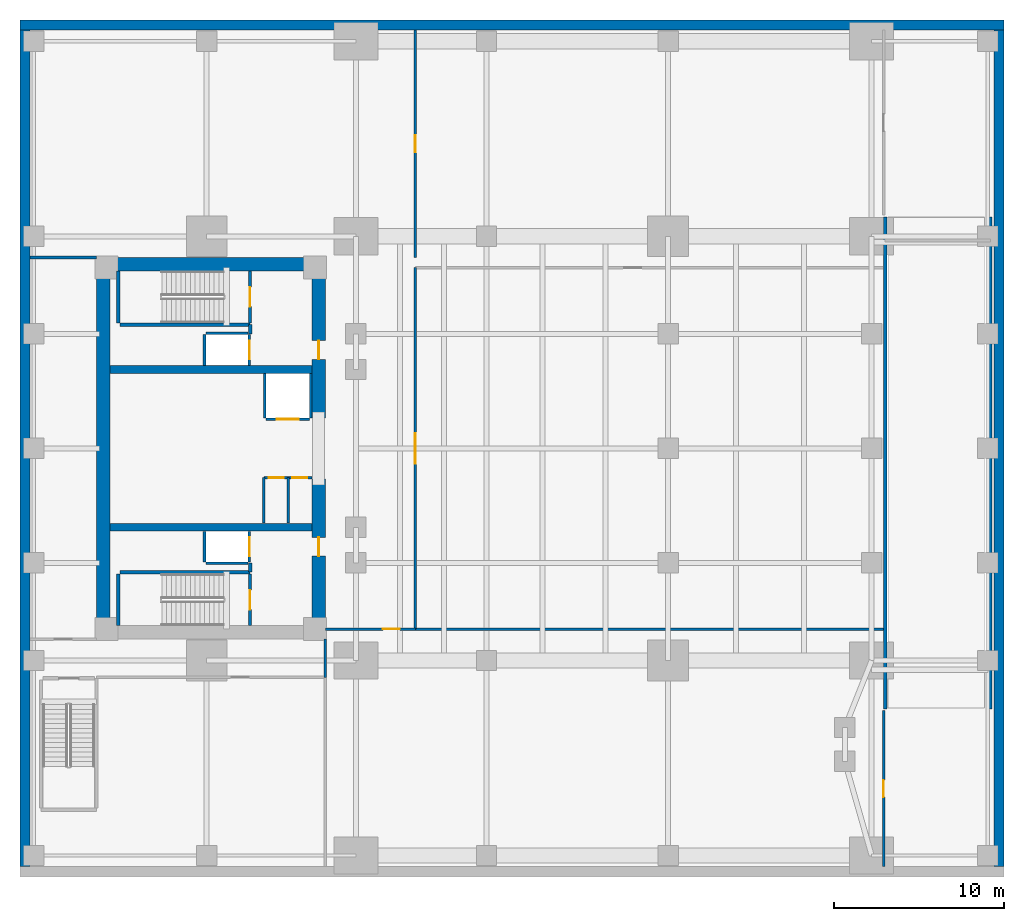
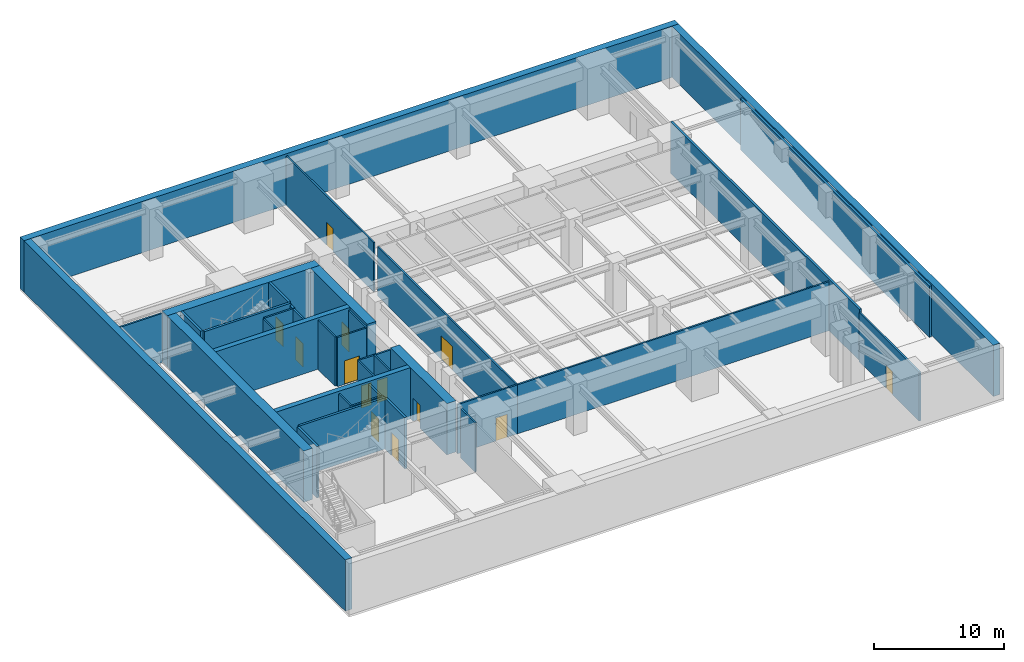
# One storey, part 3 of 5: 38 walls, 13 doors, 13 openings.
"""IFC4 building model written with IfcOpenShell, lengths in metres."""

from ifc_helpers import new_model, si_unit, direction, frame, frame_2d, origin, place, context, subcontext, project, spatial, rectangle, extrude, material, layer, layer_set, type_object, element, fill, save


model = new_model("IFC4")

# Units and contexts
model_context = context("Model", 3, precision=1e-05, world=origin(), true_north=direction((0.0, 1.0)))
body_context = subcontext(model_context, "Body", "Model", "MODEL_VIEW")
ifc_project = project(units=[si_unit("LENGTHUNIT", "METRE"), si_unit("AREAUNIT", "SQUARE_METRE"), si_unit("VOLUMEUNIT", "CUBIC_METRE"), si_unit("PLANEANGLEUNIT", "RADIAN"), si_unit("MASSUNIT", "GRAM", prefix="KILO")], contexts=[model_context])

# Site, building, storey
site_placement = place(None, origin())
site = spatial("IfcSite", under=ifc_project, at=site_placement, CompositionType="ELEMENT")
building_placement = place(site_placement, origin())
building = spatial("IfcBuilding", under=site, at=building_placement, Name="Kinhvarn Gate Tower", CompositionType="ELEMENT")
storey_placement = place(building_placement, frame((0.0, 0.0, -4.800048828125)))
storey = spatial("IfcBuildingStorey", under=building, at=storey_placement, Name="B01", CompositionType="ELEMENT", Elevation=-4.800048828125)

# Walls
ifc_material_1 = material(Name="Concrete C50/60", Category="concrete")
ifc_layer_1 = layer(ifc_material_1, 0.449951171875)
ifc_layer_set_1 = layer_set([ifc_layer_1], Name="Concrete C50/60")
wall_type_1 = type_object("IfcWallType", Name="WL-CORE-450", PredefinedType="SHEAR", material=ifc_layer_set_1)
for number, where, z_axis, x_axis, name in (
    (1, (5.300048828125, 20.60009765625, 0.0), (0.0, 0.0, 1.0), (1.0, 0.0, 0.0), "Core South Spine Shear Wall B01 450 mm"),
    (2, (5.300048828125, 29.89990234375, 0.0), (0.0, 0.0, 1.0), (1.0, 0.0, 0.0), "Core North Spine Shear Wall B01 450 mm"),
):
    element("IfcWall", number, at=place(storey_placement, frame(where, z_axis=z_axis, x_axis=x_axis)), inside=storey, type_object=wall_type_1, Name=name, PredefinedType="SHEAR", context=body_context, shape_type="SweptSolid", body=[
        extrude(rectangle(XDim=11.89990234375, YDim=0.449951171875, at=frame_2d((5.949951171875, 0.0))), origin(), (0.0, 0.0, 1.0), 4.800048828125),
    ])
ifc_material_2 = material(Name="Concrete C70/85", Category="concrete")
ifc_layer_2 = layer(ifc_material_2, 0.800048828125)
ifc_layer_set_2 = layer_set([ifc_layer_2], Name="Concrete C70/85")
wall_type_2 = type_object("IfcWallType", Name="WL-CORE-800", PredefinedType="SHEAR", material=ifc_layer_set_2)
wall_1_placement = place(storey_placement, frame((4.5, 36.10009765625, 0.0), z_axis=(0.0, 0.0, 1.0), x_axis=(1.0, 0.0, 0.0)))
element("IfcWall", 3, at=wall_1_placement, inside=storey, type_object=wall_type_2, Name="Core North Shear Wall B01 800 mm", PredefinedType="SHEAR", context=body_context, shape_type="SweptSolid", body=[
    extrude(rectangle(XDim=13.5, YDim=0.800048828125, at=frame_2d((6.75, 0.0))), origin(), (0.0, 0.0, 1.0), 4.800048828125),
])
wall_2_placement = place(storey_placement, frame((4.89990234375, 14.800048828125, 0.0), z_axis=(0.0, 0.0, 1.0), x_axis=(0.0, 1.0, 0.0)))
element("IfcWall", 4, at=wall_2_placement, inside=storey, type_object=wall_type_2, Name="Core West Shear Wall B01 800 mm", PredefinedType="SHEAR", context=body_context, shape_type="SweptSolid", body=[
    extrude(rectangle(XDim=20.89990234375, YDim=0.800048828125, at=frame_2d((10.449951171875, 0.0))), origin(), (0.0, 0.0, 1.0), 4.800048828125),
])

# Wall, opening, door
wall_3_placement = place(storey_placement, frame((17.60009765625, 14.800048828125, 0.0), z_axis=(0.0, 0.0, 1.0), x_axis=(0.0, 1.0, 0.0)))
wall_3 = element("IfcWall", 5, at=wall_3_placement, inside=storey, type_object=wall_type_2, Name="Core East-South Shear Pier B01 800 mm", PredefinedType="SHEAR", context=body_context, shape_type="SweptSolid", body=[
    extrude(rectangle(XDim=8.64990234375, YDim=0.800048828125, at=frame_2d((4.324951171875, 0.0))), origin(), (0.0, 0.0, 1.0), 4.800048828125),
])
opening_1_placement = place(wall_3_placement, frame((4.10009765625, 0.0, 0.0)))
opening_1 = element("IfcOpeningElement", 6, at=opening_1_placement, cuts=wall_3, Name="Opening FD-02", PredefinedType="OPENING", context=body_context, shape_type="SweptSolid", body=[
    extrude(rectangle(XDim=1.10009765625, YDim=2.14990234375, at=frame_2d((0.550048828125, 1.074951171875))), frame((0.0, 0.41015625, 0.0), z_axis=(0.0, -1.0, 0.0), x_axis=(1.0, 0.0, 0.0)), (0.0, 0.0, 1.0), 0.820068359375),
])
ifc_material_3 = material(Name="Anodised aluminium AW-6063", Category="aluminium")
door_type_1 = type_object("IfcDoorType", Name="DR-FD-1100", OperationType="NOTDEFINED", PredefinedType="DOOR", material=ifc_material_3)
door_1_placement = place(opening_1_placement, origin())
door_1 = element("IfcDoor", 7, at=door_1_placement, inside=storey, type_object=door_type_1, Name="Firefighting Lobby Core Door (B01)", OperationType="SINGLE_SWING_RIGHT", OverallHeight=2.14990234375, OverallWidth=1.10009765625, PredefinedType="DOOR", context=body_context, shape_type="SweptSolid", body=[
    extrude(rectangle(XDim=1.10009765625, YDim=2.14990234375, at=frame_2d((0.550048828125, 1.074951171875))), frame((0.0, 0.02490234375, 0.0), z_axis=(0.0, -1.0, 0.0), x_axis=(1.0, 0.0, 0.0)), (0.0, 0.0, 1.0), 0.050048828125),
])
fill(opening_1, door_1)

wall_4_placement = place(storey_placement, frame((17.60009765625, 27.050048828125, 0.0), z_axis=(0.0, 0.0, 1.0), x_axis=(0.0, 1.0, 0.0)))
wall_4 = element("IfcWall", 8, at=wall_4_placement, inside=storey, type_object=wall_type_2, Name="Core East-North Shear Pier B01 800 mm", PredefinedType="SHEAR", context=body_context, shape_type="SweptSolid", body=[
    extrude(rectangle(XDim=8.64990234375, YDim=0.800048828125, at=frame_2d((4.324951171875, 0.0))), origin(), (0.0, 0.0, 1.0), 4.800048828125),
])
opening_2_placement = place(wall_4_placement, frame((3.449951171875, 0.0, 0.0)))
opening_2 = element("IfcOpeningElement", 9, at=opening_2_placement, cuts=wall_4, Name="Opening FD-02", PredefinedType="OPENING", context=body_context, shape_type="SweptSolid", body=[
    extrude(rectangle(XDim=1.10009765625, YDim=2.14990234375, at=frame_2d((0.550048828125, 1.074951171875))), frame((0.0, 0.41015625, 0.0), z_axis=(0.0, -1.0, 0.0), x_axis=(1.0, 0.0, 0.0)), (0.0, 0.0, 1.0), 0.820068359375),
])
door_2_placement = place(opening_2_placement, origin())
door_2 = element("IfcDoor", 10, at=door_2_placement, inside=storey, type_object=door_type_1, Name="Firefighting Lobby Core Door (B01)", OperationType="SINGLE_SWING_LEFT", OverallHeight=2.14990234375, OverallWidth=1.10009765625, PredefinedType="DOOR", context=body_context, shape_type="SweptSolid", body=[
    extrude(rectangle(XDim=1.10009765625, YDim=2.14990234375, at=frame_2d((0.550048828125, 1.074951171875))), frame((0.0, 0.02490234375, 0.0), z_axis=(0.0, -1.0, 0.0), x_axis=(1.0, 0.0, 0.0)), (0.0, 0.0, 1.0), 0.050048828125),
])
fill(opening_2, door_2)

# Walls
ifc_material_4 = material(Name="Gypsum acoustic partition board")
ifc_layer_3 = layer(ifc_material_4, 0.14990234375)
ifc_layer_set_3 = layer_set([ifc_layer_3], Name="Gypsum acoustic partition board")
wall_type_3 = type_object("IfcWallType", Name="WL-PRT-150F", PredefinedType="PARTITIONING", material=ifc_layer_set_3)
for number, where, z_axis, x_axis, name in (
    (11, (14.3798828125, 20.85009765625, 0.0), (0.0, 0.0, 1.0), (0.0, 1.0, 0.0), "Interior Partition PW-150F (B01)"),
    (12, (15.800048828125, 20.85009765625, 0.0), (0.0, 0.0, 1.0), (0.0, 1.0, 0.0), "Interior Partition PW-150F (B01)"),
):
    element("IfcWall", number, at=place(storey_placement, frame(where, z_axis=z_axis, x_axis=x_axis)), inside=storey, type_object=wall_type_3, Name=name, PredefinedType="PARTITIONING", context=body_context, shape_type="SweptSolid", body=[
        extrude(rectangle(XDim=2.669921875, YDim=0.14990234375, at=frame_2d((1.3349609375, 0.0))), origin(), (0.0, 0.0, 1.0), 4.60009765625),
    ])

# Wall, openings, doors
wall_5_placement = place(storey_placement, frame((14.3798828125, 23.52001953125, 0.0), z_axis=(0.0, 0.0, 1.0), x_axis=(1.0, 0.0, 0.0)))
wall_5 = element("IfcWall", 13, at=wall_5_placement, inside=storey, type_object=wall_type_3, Name="Interior Partition PW-150F (B01)", PredefinedType="PARTITIONING", context=body_context, shape_type="SweptSolid", body=[
    extrude(rectangle(XDim=2.840087890625, YDim=0.14990234375, at=frame_2d((1.419921875, 0.0))), origin(), (0.0, 0.0, 1.0), 4.60009765625),
])
opening_3_placement = place(wall_5_placement, frame((0.280029296875, 0.0, 0.0)))
opening_3 = element("IfcOpeningElement", 14, at=opening_3_placement, cuts=wall_5, Name="Opening FD-04", PredefinedType="OPENING", context=body_context, shape_type="SweptSolid", body=[
    extrude(rectangle(XDim=0.89990234375, YDim=2.10009765625, at=frame_2d((0.449951171875, 1.050048828125))), frame((0.0, 0.0849609375, 0.0), z_axis=(0.0, -1.0, 0.0), x_axis=(1.0, 0.0, 0.0)), (0.0, 0.0, 1.0), 0.169921875),
])
opening_4_placement = place(wall_5_placement, frame((1.659912109375, 0.0, 0.0)))
opening_4 = element("IfcOpeningElement", 15, at=opening_4_placement, cuts=wall_5, Name="Opening FD-04", PredefinedType="OPENING", context=body_context, shape_type="SweptSolid", body=[
    extrude(rectangle(XDim=0.89990234375, YDim=2.10009765625, at=frame_2d((0.449951171875, 1.050048828125))), frame((0.0, 0.0849609375, 0.0), z_axis=(0.0, -1.0, 0.0), x_axis=(1.0, 0.0, 0.0)), (0.0, 0.0, 1.0), 0.169921875),
])
door_type_2 = type_object("IfcDoorType", Name="DR-FD-900", OperationType="NOTDEFINED", PredefinedType="DOOR", material=ifc_material_3)
door_3_placement = place(opening_3_placement, origin())
door_3 = element("IfcDoor", 16, at=door_3_placement, inside=storey, type_object=door_type_2, Name="Rated Riser & Service Closet Fire Door 900x2100 mm (B01)", OperationType="SINGLE_SWING_RIGHT", OverallHeight=2.10009765625, OverallWidth=0.89990234375, PredefinedType="DOOR", context=body_context, shape_type="SweptSolid", body=[
    extrude(rectangle(XDim=0.89990234375, YDim=2.10009765625, at=frame_2d((0.449951171875, 1.050048828125))), frame((0.0, 0.02490234375, 0.0), z_axis=(0.0, -1.0, 0.0), x_axis=(1.0, 0.0, 0.0)), (0.0, 0.0, 1.0), 0.050048828125),
])
fill(opening_3, door_3)
door_4_placement = place(opening_4_placement, origin())
door_4 = element("IfcDoor", 17, at=door_4_placement, inside=storey, type_object=door_type_2, Name="Rated Riser & Service Closet Fire Door 900x2100 mm (B01)", OperationType="SINGLE_SWING_LEFT", OverallHeight=2.10009765625, OverallWidth=0.89990234375, PredefinedType="DOOR", context=body_context, shape_type="SweptSolid", body=[
    extrude(rectangle(XDim=0.89990234375, YDim=2.10009765625, at=frame_2d((0.449951171875, 1.050048828125))), frame((0.0, 0.02490234375, 0.0), z_axis=(0.0, -1.0, 0.0), x_axis=(1.0, 0.0, 0.0)), (0.0, 0.0, 1.0), 0.050048828125),
])
fill(opening_4, door_4)

# Wall, opening, door
wall_6_placement = place(storey_placement, frame((18.0, 14.60009765625, 0.0), z_axis=(0.0, 0.0, 1.0), x_axis=(1.0, 0.0, 0.0)))
wall_6 = element("IfcWall", 18, at=wall_6_placement, inside=storey, type_object=wall_type_3, Name="Interior Partition PW-150F (B01)", PredefinedType="PARTITIONING", context=body_context, shape_type="SweptSolid", body=[
    extrude(rectangle(XDim=5.300048828125, YDim=0.14990234375, at=frame_2d((2.64990234375, 0.0))), origin(), (0.0, 0.0, 1.0), 4.60009765625),
])
opening_5_placement = place(wall_6_placement, frame((3.389892578125, 0.0, 0.0)))
opening_5 = element("IfcOpeningElement", 19, at=opening_5_placement, cuts=wall_6, Name="Opening FD-03", PredefinedType="OPENING", context=body_context, shape_type="SweptSolid", body=[
    extrude(rectangle(XDim=1.0, YDim=2.14990234375, at=frame_2d((0.5, 1.074951171875))), frame((0.0, 0.0849609375, 0.0), z_axis=(0.0, -1.0, 0.0), x_axis=(1.0, 0.0, 0.0)), (0.0, 0.0, 1.0), 0.169921875),
])
door_type_3 = type_object("IfcDoorType", Name="DR-FD-1000", OperationType="NOTDEFINED", PredefinedType="DOOR", material=ifc_material_3)
door_5_placement = place(opening_5_placement, origin())
door_5 = element("IfcDoor", 20, at=door_5_placement, inside=storey, type_object=door_type_3, Name="Rated Plant & Corridor Fire Door 1000x2150 mm (B01)", OperationType="SINGLE_SWING_RIGHT", OverallHeight=2.14990234375, OverallWidth=1.0, PredefinedType="DOOR", context=body_context, shape_type="SweptSolid", body=[
    extrude(rectangle(XDim=1.0, YDim=2.14990234375, at=frame_2d((0.5, 1.074951171875))), frame((0.0, 0.02490234375, 0.0), z_axis=(0.0, -1.0, 0.0), x_axis=(1.0, 0.0, 0.0)), (0.0, 0.0, 1.0), 0.050048828125),
])
fill(opening_5, door_5)

wall_7_placement = place(storey_placement, frame((23.300048828125, 14.60009765625, 0.0), z_axis=(0.0, 0.0, 1.0), x_axis=(0.0, 1.0, 0.0)))
wall_7 = element("IfcWall", 21, at=wall_7_placement, inside=storey, type_object=wall_type_3, Name="Interior Partition PW-150F (B01)", PredefinedType="PARTITIONING", context=body_context, shape_type="SweptSolid", body=[
    extrude(rectangle(XDim=21.2998046875, YDim=0.14990234375, at=frame_2d((10.64990234375, 0.0))), origin(), (0.0, 0.0, 1.0), 4.60009765625),
])
opening_6_placement = place(wall_7_placement, frame((9.75, 0.0, 0.0)))
opening_6 = element("IfcOpeningElement", 22, at=opening_6_placement, cuts=wall_7, Name="Opening ID-04", PredefinedType="OPENING", context=body_context, shape_type="SweptSolid", body=[
    extrude(rectangle(XDim=1.800048828125, YDim=2.199951171875, at=frame_2d((0.89990234375, 1.10009765625))), frame((0.0, 0.0849609375, 0.0), z_axis=(0.0, -1.0, 0.0), x_axis=(1.0, 0.0, 0.0)), (0.0, 0.0, 1.0), 0.169921875),
])
ifc_material_5 = material(Name="Clear low-e double glazing", Category="glass")
door_type_4 = type_object("IfcDoorType", Name="DR-GLZ-1800", OperationType="NOTDEFINED", PredefinedType="DOOR", material=ifc_material_5)
door_6_placement = place(opening_6_placement, origin())
door_6 = element("IfcDoor", 23, at=door_6_placement, inside=storey, type_object=door_type_4, Name="Double Glazed Forum & Sky-Lobby Door 1800x2200 mm (B01)", OperationType="DOUBLE_DOOR_SINGLE_SWING", OverallHeight=2.199951171875, OverallWidth=1.800048828125, PredefinedType="DOOR", context=body_context, shape_type="SweptSolid", body=[
    extrude(rectangle(XDim=1.800048828125, YDim=2.199951171875, at=frame_2d((0.89990234375, 1.10009765625))), frame((0.0, 0.02490234375, 0.0), z_axis=(0.0, -1.0, 0.0), x_axis=(1.0, 0.0, 0.0)), (0.0, 0.0, 1.0), 0.050048828125),
])
fill(opening_6, door_6)

# Walls
wall_8_placement = place(storey_placement, frame((18.0, 11.75, 0.0), z_axis=(0.0, 0.0, 1.0), x_axis=(0.0, 1.0, 0.0)))
element("IfcWall", 24, at=wall_8_placement, inside=storey, type_object=wall_type_3, Name="Interior Partition PW-150F (B01)", PredefinedType="PARTITIONING", context=body_context, shape_type="SweptSolid", body=[
    extrude(rectangle(XDim=2.25, YDim=0.14990234375, at=frame_2d((1.125, 0.0))), origin(), (0.0, 0.0, 1.0), 4.60009765625),
])
wall_9_placement = place(storey_placement, frame((0.60009765625, 36.5, 0.0), z_axis=(0.0, 0.0, 1.0), x_axis=(1.0, 0.0, 0.0)))
element("IfcWall", 25, at=wall_9_placement, inside=storey, type_object=wall_type_3, Name="Interior Partition PW-150F (B01)", PredefinedType="PARTITIONING", context=body_context, shape_type="SweptSolid", body=[
    extrude(rectangle(XDim=3.89990234375, YDim=0.14990234375, at=frame_2d((1.949951171875, 0.0))), origin(), (0.0, 0.0, 1.0), 4.60009765625),
])

# Wall, opening, door
wall_10_placement = place(storey_placement, frame((23.300048828125, 36.5, 0.0), z_axis=(0.0, 0.0, 1.0), x_axis=(0.0, 1.0, 0.0)))
wall_10 = element("IfcWall", 26, at=wall_10_placement, inside=storey, type_object=wall_type_3, Name="Interior Partition PW-150F (B01)", PredefinedType="PARTITIONING", context=body_context, shape_type="SweptSolid", body=[
    extrude(rectangle(XDim=13.39990234375, YDim=0.14990234375, at=frame_2d((6.699951171875, 0.0))), origin(), (0.0, 0.0, 1.0), 4.60009765625),
])
opening_7_placement = place(wall_10_placement, frame((6.199951171875, 0.0, 0.0)))
opening_7 = element("IfcOpeningElement", 27, at=opening_7_placement, cuts=wall_10, Name="Opening FD-03", PredefinedType="OPENING", context=body_context, shape_type="SweptSolid", body=[
    extrude(rectangle(XDim=1.0, YDim=2.14990234375, at=frame_2d((0.5, 1.074951171875))), frame((0.0, 0.0849609375, 0.0), z_axis=(0.0, -1.0, 0.0), x_axis=(1.0, 0.0, 0.0)), (0.0, 0.0, 1.0), 0.169921875),
])
door_7_placement = place(opening_7_placement, origin())
door_7 = element("IfcDoor", 28, at=door_7_placement, inside=storey, type_object=door_type_3, Name="Rated Plant & Corridor Fire Door 1000x2150 mm (B01)", OperationType="SINGLE_SWING_LEFT", OverallHeight=2.14990234375, OverallWidth=1.0, PredefinedType="DOOR", context=body_context, shape_type="SweptSolid", body=[
    extrude(rectangle(XDim=1.0, YDim=2.14990234375, at=frame_2d((0.5, 1.074951171875))), frame((0.0, 0.02490234375, 0.0), z_axis=(0.0, -1.0, 0.0), x_axis=(1.0, 0.0, 0.0)), (0.0, 0.0, 1.0), 0.050048828125),
])
fill(opening_7, door_7)

# Wall
wall_11_placement = place(storey_placement, frame((23.300048828125, 14.60009765625, 0.0), z_axis=(0.0, 0.0, 1.0), x_axis=(1.0, 0.0, 0.0)))
element("IfcWall", 29, at=wall_11_placement, inside=storey, type_object=wall_type_3, Name="Interior Partition PW-150F (B01)", PredefinedType="PARTITIONING", context=body_context, shape_type="SweptSolid", body=[
    extrude(rectangle(XDim=27.599853515625, YDim=0.14990234375, at=frame_2d((13.7998046875, 0.0))), origin(), (0.0, 0.0, 1.0), 4.60009765625),
])

# Wall, opening, door
wall_12_placement = place(storey_placement, frame((50.89990234375, 0.60009765625, 0.0), z_axis=(0.0, 0.0, 1.0), x_axis=(0.0, 1.0, 0.0)))
wall_12 = element("IfcWall", 30, at=wall_12_placement, inside=storey, type_object=wall_type_3, Name="Interior Partition PW-150F (B01)", PredefinedType="PARTITIONING", context=body_context, shape_type="SweptSolid", body=[
    extrude(rectangle(XDim=9.199951171875, YDim=0.14990234375, at=frame_2d((4.60009765625, 0.0))), origin(), (0.0, 0.0, 1.0), 4.60009765625),
])
opening_8_placement = place(wall_12_placement, frame((4.10009765625, 0.0, 0.0)))
opening_8 = element("IfcOpeningElement", 31, at=opening_8_placement, cuts=wall_12, Name="Opening FD-03", PredefinedType="OPENING", context=body_context, shape_type="SweptSolid", body=[
    extrude(rectangle(XDim=1.0, YDim=2.14990234375, at=frame_2d((0.5, 1.074951171875))), frame((0.0, 0.0849609375, 0.0), z_axis=(0.0, -1.0, 0.0), x_axis=(1.0, 0.0, 0.0)), (0.0, 0.0, 1.0), 0.169921875),
])
door_8_placement = place(opening_8_placement, origin())
door_8 = element("IfcDoor", 32, at=door_8_placement, inside=storey, type_object=door_type_3, Name="Rated Plant & Corridor Fire Door 1000x2150 mm (B01)", OperationType="SINGLE_SWING_RIGHT", OverallHeight=2.14990234375, OverallWidth=1.0, PredefinedType="DOOR", context=body_context, shape_type="SweptSolid", body=[
    extrude(rectangle(XDim=1.0, YDim=2.14990234375, at=frame_2d((0.5, 1.074951171875))), frame((0.0, 0.02490234375, 0.0), z_axis=(0.0, -1.0, 0.0), x_axis=(1.0, 0.0, 0.0)), (0.0, 0.0, 1.0), 0.050048828125),
])
fill(opening_8, door_8)

# Walls
ifc_layer_4 = layer(ifc_material_4, 0.199951171875)
ifc_layer_set_4 = layer_set([ifc_layer_4], Name="Gypsum acoustic partition board")
wall_type_4 = type_object("IfcWallType", Name="WL-PRT-200", PredefinedType="PARTITIONING", material=ifc_layer_set_4)
for number, where, z_axis, x_axis, name in (
    (33, (13.580078125, 17.9599609375, 0.0), (0.0, 0.0, 1.0), (0.0, 1.0, 0.0), "Interior Partition PW-200 (B01)"),
    (34, (13.580078125, 32.0, 0.0), (0.0, 0.0, 1.0), (0.0, 1.0, 0.0), "Interior Partition PW-200 (B01)"),
):
    element("IfcWall", number, at=place(storey_placement, frame(where, z_axis=z_axis, x_axis=x_axis)), inside=storey, type_object=wall_type_4, Name=name, PredefinedType="PARTITIONING", context=body_context, shape_type="SweptSolid", body=[
        extrude(rectangle(XDim=0.5400390625, YDim=0.199951171875, at=frame_2d((0.27001953125, 0.0))), origin(), (0.0, 0.0, 1.0), 4.60009765625),
    ])
ifc_layer_5 = layer(ifc_material_1, 0.60009765625)
ifc_layer_set_5 = layer_set([ifc_layer_5], Name="Concrete C50/60")
wall_type_5 = type_object("IfcWallType", Name="WL-RET-600", PredefinedType="USERDEFINED", material=ifc_layer_set_5)
wall_13_placement = place(storey_placement, frame((0.0, 50.199951171875, 0.0), z_axis=(0.0, 0.0, 1.0), x_axis=(1.0, 0.0, 0.0)))
element("IfcWall", 35, at=wall_13_placement, inside=storey, type_object=wall_type_5, Name="North Diaphragm Retaining Wall B01 600 mm", ObjectType="RETAININGWALL", PredefinedType="USERDEFINED", context=body_context, shape_type="SweptSolid", body=[
    extrude(rectangle(XDim=58.0, YDim=0.60009765625, at=frame_2d((29.0, 0.0))), origin(), (0.0, 0.0, 1.0), 4.800048828125),
])
for number, where, z_axis, x_axis, name in (
    (36, (0.300048828125, 0.60009765625, 0.0), (0.0, 0.0, 1.0), (0.0, 1.0, 0.0), "West Diaphragm Retaining Wall B01 600 mm"),
    (37, (57.699951171875, 0.60009765625, 0.0), (0.0, 0.0, 1.0), (0.0, 1.0, 0.0), "East Diaphragm Retaining Wall B01 600 mm"),
):
    element("IfcWall", number, at=place(storey_placement, frame(where, z_axis=z_axis, x_axis=x_axis)), inside=storey, type_object=wall_type_5, Name=name, ObjectType="RETAININGWALL", PredefinedType="USERDEFINED", context=body_context, shape_type="SweptSolid", body=[
        extrude(rectangle(XDim=49.2998046875, YDim=0.60009765625, at=frame_2d((24.64990234375, 0.0))), origin(), (0.0, 0.0, 1.0), 4.800048828125),
    ])

# Wall, opening, door
ifc_layer_6 = layer(ifc_material_4, 0.14990234375)
ifc_layer_set_6 = layer_set([ifc_layer_6], Name="Gypsum acoustic partition board")
wall_type_6 = type_object("IfcWallType", Name="WL-SHF-150", PredefinedType="PARTITIONING", material=ifc_layer_set_6)
wall_14_placement = place(storey_placement, frame((14.5, 26.97509765625, 0.0), z_axis=(0.0, 0.0, 1.0), x_axis=(1.0, 0.0, 0.0)))
wall_14 = element("IfcWall", 38, at=wall_14_placement, inside=storey, type_object=wall_type_6, Name="Elevator SV-01 Landing Wall (B01)", PredefinedType="PARTITIONING", context=body_context, shape_type="SweptSolid", body=[
    extrude(rectangle(XDim=2.550048828125, YDim=0.14990234375, at=frame_2d((1.27490234375, 0.0))), origin(), (0.0, 0.0, 1.0), 4.60009765625),
])
opening_9_placement = place(wall_14_placement, frame((0.625, 0.0, 0.0)))
opening_9 = element("IfcOpeningElement", 39, at=opening_9_placement, cuts=wall_14, Name="Opening LD-02", PredefinedType="OPENING", context=body_context, shape_type="SweptSolid", body=[
    extrude(rectangle(XDim=1.300048828125, YDim=2.199951171875, at=frame_2d((0.64990234375, 1.10009765625))), frame((0.0, 0.0849609375, 0.0), z_axis=(0.0, -1.0, 0.0), x_axis=(1.0, 0.0, 0.0)), (0.0, 0.0, 1.0), 0.169921875),
])
door_type_5 = type_object("IfcDoorType", Name="DR-LND-SRV", OperationType="NOTDEFINED", PredefinedType="DOOR", material=ifc_material_3)
door_9_placement = place(opening_9_placement, origin())
door_9 = element("IfcDoor", 40, at=door_9_placement, inside=storey, type_object=door_type_5, Name="Elevator SV-01 Sliding Landing Door (B01)", OperationType="DOUBLE_DOOR_SLIDING", OverallHeight=2.199951171875, OverallWidth=1.300048828125, PredefinedType="DOOR", context=body_context, shape_type="SweptSolid", body=[
    extrude(rectangle(XDim=1.300048828125, YDim=2.199951171875, at=frame_2d((0.64990234375, 1.10009765625))), frame((0.0, 0.02490234375, 0.0), z_axis=(0.0, -1.0, 0.0), x_axis=(1.0, 0.0, 0.0)), (0.0, 0.0, 1.0), 0.050048828125),
])
fill(opening_9, door_9)

# Walls
for number, where, z_axis, x_axis, name in (
    (41, (14.425048828125, 27.050048828125, 0.0), (0.0, 0.0, 1.0), (0.0, 1.0, 0.0), "Elevator SV-01 Hoistway Wall W (B01)"),
    (42, (17.125, 27.050048828125, 0.0), (0.0, 0.0, 1.0), (0.0, 1.0, 0.0), "Elevator SV-01 Hoistway Wall E (B01)"),
):
    element("IfcWall", number, at=place(storey_placement, frame(where, z_axis=z_axis, x_axis=x_axis)), inside=storey, type_object=wall_type_6, Name=name, PredefinedType="PARTITIONING", context=body_context, shape_type="SweptSolid", body=[
        extrude(rectangle(XDim=2.599853515625, YDim=0.14990234375, at=frame_2d((1.2998046875, 0.0))), origin(), (0.0, 0.0, 1.0), 4.60009765625),
    ])
wall_15_placement = place(storey_placement, frame((10.949951171875, 18.47509765625, 0.0), z_axis=(0.0, 0.0, 1.0), x_axis=(1.0, 0.0, 0.0)))
element("IfcWall", 43, at=wall_15_placement, inside=storey, type_object=wall_type_6, Name="Elevator FF1 Hoistway Wall S (B01)", PredefinedType="PARTITIONING", context=body_context, shape_type="SweptSolid", body=[
    extrude(rectangle(XDim=2.5, YDim=0.14990234375, at=frame_2d((1.25, 0.0))), origin(), (0.0, 0.0, 1.0), 4.60009765625),
])
wall_16_placement = place(storey_placement, frame((10.875, 18.550048828125, 0.0), z_axis=(0.0, 0.0, 1.0), x_axis=(0.0, 1.0, 0.0)))
element("IfcWall", 44, at=wall_16_placement, inside=storey, type_object=wall_type_6, Name="Elevator FF1 Hoistway Wall W (B01)", PredefinedType="PARTITIONING", context=body_context, shape_type="SweptSolid", body=[
    extrude(rectangle(XDim=1.800048828125, YDim=0.14990234375, at=frame_2d((0.89990234375, 0.0))), origin(), (0.0, 0.0, 1.0), 4.60009765625),
])

# Wall, opening, door
wall_17_placement = place(storey_placement, frame((13.52490234375, 18.550048828125, 0.0), z_axis=(0.0, 0.0, 1.0), x_axis=(0.0, 1.0, 0.0)))
wall_17 = element("IfcWall", 45, at=wall_17_placement, inside=storey, type_object=wall_type_6, Name="Elevator FF1 Landing Wall (B01)", PredefinedType="PARTITIONING", context=body_context, shape_type="SweptSolid", body=[
    extrude(rectangle(XDim=1.800048828125, YDim=0.14990234375, at=frame_2d((0.89990234375, 0.0))), origin(), (0.0, 0.0, 1.0), 4.60009765625),
])
opening_10_placement = place(wall_17_placement, frame((0.35009765625, 0.0, 0.0)))
opening_10 = element("IfcOpeningElement", 46, at=opening_10_placement, cuts=wall_17, Name="Opening LD-03", PredefinedType="OPENING", context=body_context, shape_type="SweptSolid", body=[
    extrude(rectangle(XDim=1.10009765625, YDim=2.199951171875, at=frame_2d((0.550048828125, 1.10009765625))), frame((0.0, 0.0849609375, 0.0), z_axis=(0.0, -1.0, 0.0), x_axis=(1.0, 0.0, 0.0)), (0.0, 0.0, 1.0), 0.169921875),
])
door_type_6 = type_object("IfcDoorType", Name="DR-LND-FF", OperationType="NOTDEFINED", PredefinedType="DOOR", material=ifc_material_3)
door_10_placement = place(opening_10_placement, origin())
door_10 = element("IfcDoor", 47, at=door_10_placement, inside=storey, type_object=door_type_6, Name="Elevator FF1 Sliding Landing Door (B01)", OperationType="DOUBLE_DOOR_SLIDING", OverallHeight=2.199951171875, OverallWidth=1.10009765625, PredefinedType="DOOR", context=body_context, shape_type="SweptSolid", body=[
    extrude(rectangle(XDim=1.10009765625, YDim=2.199951171875, at=frame_2d((0.550048828125, 1.10009765625))), frame((0.0, 0.02490234375, 0.0), z_axis=(0.0, -1.0, 0.0), x_axis=(1.0, 0.0, 0.0)), (0.0, 0.0, 1.0), 0.050048828125),
])
fill(opening_10, door_10)

# Walls
wall_18_placement = place(storey_placement, frame((10.949951171875, 32.02490234375, 0.0), z_axis=(0.0, 0.0, 1.0), x_axis=(1.0, 0.0, 0.0)))
element("IfcWall", 48, at=wall_18_placement, inside=storey, type_object=wall_type_6, Name="Elevator FF2 Hoistway Wall N (B01)", PredefinedType="PARTITIONING", context=body_context, shape_type="SweptSolid", body=[
    extrude(rectangle(XDim=2.5, YDim=0.14990234375, at=frame_2d((1.25, 0.0))), origin(), (0.0, 0.0, 1.0), 4.60009765625),
])
wall_19_placement = place(storey_placement, frame((10.875, 30.14990234375, 0.0), z_axis=(0.0, 0.0, 1.0), x_axis=(0.0, 1.0, 0.0)))
element("IfcWall", 49, at=wall_19_placement, inside=storey, type_object=wall_type_6, Name="Elevator FF2 Hoistway Wall W (B01)", PredefinedType="PARTITIONING", context=body_context, shape_type="SweptSolid", body=[
    extrude(rectangle(XDim=1.800048828125, YDim=0.14990234375, at=frame_2d((0.89990234375, 0.0))), origin(), (0.0, 0.0, 1.0), 4.60009765625),
])

# Wall, opening, door
wall_20_placement = place(storey_placement, frame((13.52490234375, 30.14990234375, 0.0), z_axis=(0.0, 0.0, 1.0), x_axis=(0.0, 1.0, 0.0)))
wall_20 = element("IfcWall", 50, at=wall_20_placement, inside=storey, type_object=wall_type_6, Name="Elevator FF2 Landing Wall (B01)", PredefinedType="PARTITIONING", context=body_context, shape_type="SweptSolid", body=[
    extrude(rectangle(XDim=1.800048828125, YDim=0.14990234375, at=frame_2d((0.89990234375, 0.0))), origin(), (0.0, 0.0, 1.0), 4.60009765625),
])
opening_11_placement = place(wall_20_placement, frame((0.35009765625, 0.0, 0.0)))
opening_11 = element("IfcOpeningElement", 51, at=opening_11_placement, cuts=wall_20, Name="Opening LD-03", PredefinedType="OPENING", context=body_context, shape_type="SweptSolid", body=[
    extrude(rectangle(XDim=1.10009765625, YDim=2.199951171875, at=frame_2d((0.550048828125, 1.10009765625))), frame((0.0, 0.0849609375, 0.0), z_axis=(0.0, -1.0, 0.0), x_axis=(1.0, 0.0, 0.0)), (0.0, 0.0, 1.0), 0.169921875),
])
door_11_placement = place(opening_11_placement, origin())
door_11 = element("IfcDoor", 52, at=door_11_placement, inside=storey, type_object=door_type_6, Name="Elevator FF2 Sliding Landing Door (B01)", OperationType="DOUBLE_DOOR_SLIDING", OverallHeight=2.199951171875, OverallWidth=1.10009765625, PredefinedType="DOOR", context=body_context, shape_type="SweptSolid", body=[
    extrude(rectangle(XDim=1.10009765625, YDim=2.199951171875, at=frame_2d((0.550048828125, 1.10009765625))), frame((0.0, 0.02490234375, 0.0), z_axis=(0.0, -1.0, 0.0), x_axis=(1.0, 0.0, 0.0)), (0.0, 0.0, 1.0), 0.050048828125),
])
fill(opening_11, door_11)

# Walls
ifc_material_6 = material(Name="Concrete C40/50", Category="concrete")
ifc_layer_7 = layer(ifc_material_6, 0.199951171875)
ifc_layer_set_7 = layer_set([ifc_layer_7], Name="Concrete C40/50")
wall_type_7 = type_object("IfcWallType", Name="WL-SHF-200", PredefinedType="SOLIDWALL", material=ifc_layer_set_7)
wall_21_placement = place(storey_placement, frame((5.7900390625, 14.800048828125, 0.0), z_axis=(0.0, 0.0, 1.0), x_axis=(0.0, 1.0, 0.0)))
element("IfcWall", 53, at=wall_21_placement, inside=storey, type_object=wall_type_7, Name="Stair ST1 West Shaft Wall (B01)", PredefinedType="SOLIDWALL", context=body_context, shape_type="SweptSolid", body=[
    extrude(rectangle(XDim=3.050048828125, YDim=0.199951171875, at=frame_2d((1.52490234375, 0.0))), origin(), (0.0, 0.0, 1.0), 4.800048828125),
])
wall_22_placement = place(storey_placement, frame((5.89990234375, 17.9599609375, 0.0), z_axis=(0.0, 0.0, 1.0), x_axis=(1.0, 0.0, 0.0)))
element("IfcWall", 54, at=wall_22_placement, inside=storey, type_object=wall_type_7, Name="Stair ST1 North Shaft Wall (B01)", PredefinedType="SOLIDWALL", context=body_context, shape_type="SweptSolid", body=[
    extrude(rectangle(XDim=7.66015625, YDim=0.199951171875, at=frame_2d((3.830078125, 0.0))), origin(), (0.0, 0.0, 1.0), 4.800048828125),
])

# Wall, opening, door
wall_23_placement = place(storey_placement, frame((13.56005859375, 14.800048828125, 0.0), z_axis=(0.0, 0.0, 1.0), x_axis=(0.0, 1.0, 0.0)))
wall_23 = element("IfcWall", 55, at=wall_23_placement, inside=storey, type_object=wall_type_7, Name="Stair ST1 East Entry Wall (B01)", PredefinedType="SOLIDWALL", context=body_context, shape_type="SweptSolid", body=[
    extrude(rectangle(XDim=3.050048828125, YDim=0.199951171875, at=frame_2d((1.52490234375, 0.0))), origin(), (0.0, 0.0, 1.0), 4.800048828125),
])
opening_12_placement = place(wall_23_placement, frame((0.949951171875, 0.0, 0.0)))
opening_12 = element("IfcOpeningElement", 56, at=opening_12_placement, cuts=wall_23, Name="Opening FD-01", PredefinedType="OPENING", context=body_context, shape_type="SweptSolid", body=[
    extrude(rectangle(XDim=1.14990234375, YDim=2.14990234375, at=frame_2d((0.574951171875, 1.074951171875))), frame((0.0, 0.10986328125, 0.0), z_axis=(0.0, -1.0, 0.0), x_axis=(1.0, 0.0, 0.0)), (0.0, 0.0, 1.0), 0.219970703125),
])
door_type_7 = type_object("IfcDoorType", Name="DR-ST-1150", OperationType="NOTDEFINED", PredefinedType="DOOR", material=ifc_material_3)
door_12_placement = place(opening_12_placement, origin())
door_12 = element("IfcDoor", 57, at=door_12_placement, inside=storey, type_object=door_type_7, Name="Exit Stair ST1 Fire Door (B01)", OperationType="SINGLE_SWING_LEFT", OverallHeight=2.14990234375, OverallWidth=1.14990234375, PredefinedType="DOOR", context=body_context, shape_type="SweptSolid", body=[
    extrude(rectangle(XDim=1.14990234375, YDim=2.14990234375, at=frame_2d((0.574951171875, 1.074951171875))), frame((0.0, 0.02490234375, 0.0), z_axis=(0.0, -1.0, 0.0), x_axis=(1.0, 0.0, 0.0)), (0.0, 0.0, 1.0), 0.050048828125),
])
fill(opening_12, door_12)

# Walls
wall_24_placement = place(storey_placement, frame((5.7900390625, 32.64990234375, 0.0), z_axis=(0.0, 0.0, 1.0), x_axis=(0.0, 1.0, 0.0)))
element("IfcWall", 58, at=wall_24_placement, inside=storey, type_object=wall_type_7, Name="Stair ST2 West Shaft Wall (B01)", PredefinedType="SOLIDWALL", context=body_context, shape_type="SweptSolid", body=[
    extrude(rectangle(XDim=3.050048828125, YDim=0.199951171875, at=frame_2d((1.52490234375, 0.0))), origin(), (0.0, 0.0, 1.0), 4.800048828125),
])
wall_25_placement = place(storey_placement, frame((5.89990234375, 32.5400390625, 0.0), z_axis=(0.0, 0.0, 1.0), x_axis=(1.0, 0.0, 0.0)))
element("IfcWall", 59, at=wall_25_placement, inside=storey, type_object=wall_type_7, Name="Stair ST2 South Shaft Wall (B01)", PredefinedType="SOLIDWALL", context=body_context, shape_type="SweptSolid", body=[
    extrude(rectangle(XDim=7.66015625, YDim=0.199951171875, at=frame_2d((3.830078125, 0.0))), origin(), (0.0, 0.0, 1.0), 4.800048828125),
])

# Wall, opening, door
wall_26_placement = place(storey_placement, frame((13.56005859375, 32.64990234375, 0.0), z_axis=(0.0, 0.0, 1.0), x_axis=(0.0, 1.0, 0.0)))
wall_26 = element("IfcWall", 60, at=wall_26_placement, inside=storey, type_object=wall_type_7, Name="Stair ST2 East Entry Wall (B01)", PredefinedType="SOLIDWALL", context=body_context, shape_type="SweptSolid", body=[
    extrude(rectangle(XDim=3.050048828125, YDim=0.199951171875, at=frame_2d((1.52490234375, 0.0))), origin(), (0.0, 0.0, 1.0), 4.800048828125),
])
opening_13_placement = place(wall_26_placement, frame((0.949951171875, 0.0, 0.0)))
opening_13 = element("IfcOpeningElement", 61, at=opening_13_placement, cuts=wall_26, Name="Opening FD-01", PredefinedType="OPENING", context=body_context, shape_type="SweptSolid", body=[
    extrude(rectangle(XDim=1.14990234375, YDim=2.14990234375, at=frame_2d((0.574951171875, 1.074951171875))), frame((0.0, 0.10986328125, 0.0), z_axis=(0.0, -1.0, 0.0), x_axis=(1.0, 0.0, 0.0)), (0.0, 0.0, 1.0), 0.219970703125),
])
door_13_placement = place(opening_13_placement, origin())
door_13 = element("IfcDoor", 62, at=door_13_placement, inside=storey, type_object=door_type_7, Name="Exit Stair ST2 Fire Door (B01)", OperationType="SINGLE_SWING_RIGHT", OverallHeight=2.14990234375, OverallWidth=1.14990234375, PredefinedType="DOOR", context=body_context, shape_type="SweptSolid", body=[
    extrude(rectangle(XDim=1.14990234375, YDim=2.14990234375, at=frame_2d((0.574951171875, 1.074951171875))), frame((0.0, 0.02490234375, 0.0), z_axis=(0.0, -1.0, 0.0), x_axis=(1.0, 0.0, 0.0)), (0.0, 0.0, 1.0), 0.050048828125),
])
fill(opening_13, door_13)

# Walls
for number, where, z_axis, x_axis, name in (
    (63, (51.0, 9.89990234375, 0.0), (0.0, 0.0, 1.0), (0.0, 1.0, 0.0), "Vehicle Ramp West Shaft Wall (B01)"),
    (64, (57.199951171875, 9.89990234375, 0.0), (0.0, 0.0, 1.0), (0.0, 1.0, 0.0), "Vehicle Ramp East Shaft Wall (B01)"),
):
    element("IfcWall", number, at=place(storey_placement, frame(where, z_axis=z_axis, x_axis=x_axis)), inside=storey, type_object=wall_type_7, Name=name, PredefinedType="SOLIDWALL", context=body_context, shape_type="SweptSolid", body=[
        extrude(rectangle(XDim=29.0, YDim=0.199951171875, at=frame_2d((14.5, 0.0))), origin(), (0.0, 0.0, 1.0), 4.800048828125),
    ])

save(model, "model.ifc")
